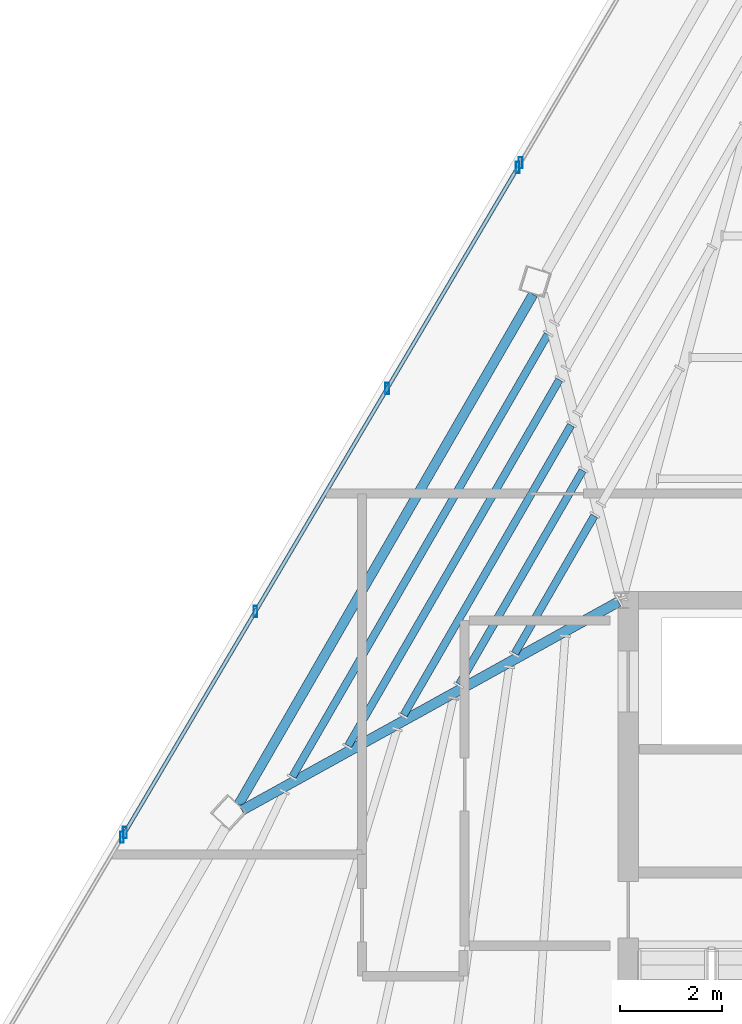
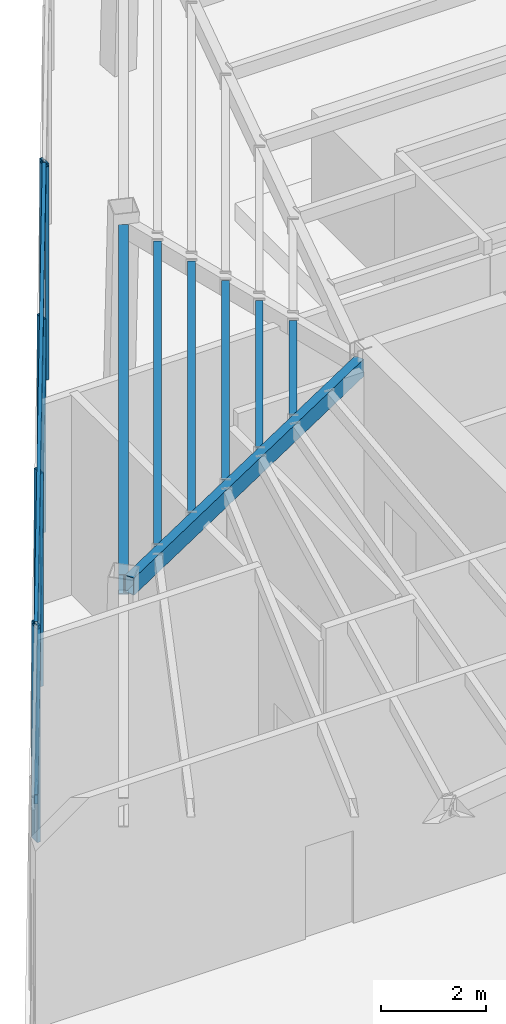
# One storey, part 10 of 25: 8 members, 7 beams, 3 elements without a shape of their own.
"""IFC4 building model written with IfcOpenShell, lengths in metres."""

from ifc_helpers import new_model, si_unit, direction, frame, origin, origin_2d, place, context, subcontext, project, spatial, hollow_rectangle, i_section, extrude, source, transform, mapped, material, material_profile, profile_set, type_object, type_shapes, element, aggregate, save


model = new_model("IFC4")

# Units and contexts
model_context = context("Model", 3, precision=1e-05, world=origin(), true_north=direction((0.0, 1.0)))
body_context = subcontext(model_context, "Body", "Model", "MODEL_VIEW")
ifc_project = project(units=[si_unit("LENGTHUNIT", "METRE"), si_unit("AREAUNIT", "SQUARE_METRE"), si_unit("VOLUMEUNIT", "CUBIC_METRE"), si_unit("PLANEANGLEUNIT", "RADIAN"), si_unit("MASSUNIT", "GRAM", prefix="KILO")], contexts=[model_context])

# Site, building, storey
site_placement = place(None, origin())
site = spatial("IfcSite", under=ifc_project, at=site_placement, CompositionType="ELEMENT")
building_placement = place(site_placement, origin())
building = spatial("IfcBuilding", under=site, at=building_placement, Name="Caelisora Broadcast Tower", CompositionType="ELEMENT")
storey_placement = place(building_placement, frame((0.0, 0.0, 284.60009765625)))
storey = spatial("IfcBuildingStorey", under=building, at=storey_placement, Name="L75", CompositionType="ELEMENT", Elevation=284.60009765625)

# Beams
ifc_material_1 = material(Name="Steel Grade 350 (AS/NZS 3679.1)", Category="steel")
ifc_material_profile_1 = material_profile(ifc_material_1, i_section(OverallWidth=0.19091796875, OverallDepth=0.46044921875, WebThickness=0.010009765625, FlangeThickness=0.01611328125, at=origin_2d()), Name="Steel Grade 350 (AS/NZS 3679.1)")
ifc_profile_set_1 = profile_set([ifc_material_profile_1], Name="Steel Grade 350 (AS/NZS 3679.1)")
beam_type_1 = type_object("IfcBeamType", Name="PG06", PredefinedType="BEAM", material=ifc_profile_set_1)
shared_shape_1 = source(origin(), body_context, "Body", "SweptSolid", [
    extrude(i_section(OverallWidth=0.19091796875, OverallDepth=0.46044921875, WebThickness=0.010009765625, FlangeThickness=0.01611328125, at=origin_2d()), origin(), (0.0, 0.0, 1.0), 11.589111328125),
])
type_shapes(beam_type_1, [shared_shape_1])
beam_1_placement = place(storey_placement, frame((28.767333984375, 36.021484375, 4.7197265625), z_axis=(-0.500011182806, -0.866018947292, 0.0), x_axis=(0.866018947292, -0.500011182806, 0.0)))
element("IfcBeam", 1, at=beam_1_placement, inside=storey, type_object=beam_type_1, Name="L75 beam PG06", PredefinedType="BEAM", context=body_context, shape_type="MappedRepresentation", body=[
    mapped(shared_shape_1, transform((0.0, 0.0, 0.0), scale=1.0)),
])
ifc_material_2 = material(Name="Steel Grade 350 (AS/NZS 1163 C350L0)", Category="steel")
ifc_material_profile_2 = material_profile(ifc_material_2, hollow_rectangle(XDim=0.199951171875, YDim=0.39990234375, WallThickness=0.012451171875, at=origin_2d()), Name="Steel Grade 350 (AS/NZS 1163 C350L0)")
ifc_profile_set_2 = profile_set([ifc_material_profile_2], Name="Steel Grade 350 (AS/NZS 1163 C350L0)")
beam_type_2 = type_object("IfcBeamType", Name="PG07", PredefinedType="BEAM", material=ifc_profile_set_2)
shared_shape_2 = source(origin(), body_context, "Body", "SweptSolid", [
    extrude(hollow_rectangle(XDim=0.199951171875, YDim=0.39990234375, WallThickness=0.012451171875, at=origin_2d()), origin(), (0.0, 0.0, 1.0), 8.472900390625),
])
type_shapes(beam_type_2, [shared_shape_2])
beam_2_placement = place(storey_placement, frame((30.447509765625, 29.970947265625, 4.75), z_axis=(-0.874831936289, -0.484426550933, 0.0), x_axis=(0.484426550933, -0.874831936289, 0.0)))
element("IfcBeam", 2, at=beam_2_placement, inside=storey, type_object=beam_type_2, Name="L75 beam PG07", PredefinedType="BEAM", context=body_context, shape_type="MappedRepresentation", body=[
    mapped(shared_shape_2, transform((0.0, 0.0, 0.0), scale=1.0)),
])
ifc_material_profile_3 = material_profile(ifc_material_2, hollow_rectangle(XDim=0.14990234375, YDim=0.300048828125, WallThickness=0.010009765625, at=origin_2d()), Name="Steel Grade 350 (AS/NZS 1163 C350L0)")
ifc_profile_set_3 = profile_set([ifc_material_profile_3], Name="Steel Grade 350 (AS/NZS 1163 C350L0)")
beam_type_3 = type_object("IfcBeamType", Name="SB05", PredefinedType="JOIST", material=ifc_profile_set_3)
shared_shape_3 = source(origin(), body_context, "Body", "SweptSolid", [
    extrude(hollow_rectangle(XDim=0.14990234375, YDim=0.300048828125, WallThickness=0.010009765625, at=origin_2d()), origin(), (0.0, 0.0, 1.0), 3.128662109375),
])
beam_3_placement = place(storey_placement, frame((29.97216796875, 31.66357421875, 4.7998046875), z_axis=(-0.50003316619, -0.866006254429, 0.0), x_axis=(0.866006254429, -0.50003316619, 0.0)))
element("IfcBeam", 3, at=beam_3_placement, inside=storey, type_object=beam_type_3, Name="L75 beam SB05", PredefinedType="JOIST", context=body_context, shape_type="MappedRepresentation", body=[
    mapped(shared_shape_3, transform((0.0, 0.0, 0.0), scale=1.0)),
])
shared_shape_4 = source(origin(), body_context, "Body", "SweptSolid", [
    extrude(hollow_rectangle(XDim=0.14990234375, YDim=0.300048828125, WallThickness=0.010009765625, at=origin_2d()), origin(), (0.0, 0.0, 1.0), 4.858642578125),
])
beam_4_placement = place(storey_placement, frame((29.7431640625, 32.555908203125, 4.7998046875), z_axis=(-0.500013872438, -0.86601739438, 0.0), x_axis=(0.86601739438, -0.500013872438, 0.0)))
element("IfcBeam", 4, at=beam_4_placement, inside=storey, type_object=beam_type_3, Name="L75 beam SB05", PredefinedType="JOIST", context=body_context, shape_type="MappedRepresentation", body=[
    mapped(shared_shape_4, transform((0.0, 0.0, 0.0), scale=1.0)),
])
shared_shape_5 = source(origin(), body_context, "Body", "SweptSolid", [
    extrude(hollow_rectangle(XDim=0.14990234375, YDim=0.300048828125, WallThickness=0.010009765625, at=origin_2d()), origin(), (0.0, 0.0, 1.0), 6.58837890625),
])
beam_5_placement = place(storey_placement, frame((29.51416015625, 33.4482421875, 4.7998046875), z_axis=(-0.499992964734, -0.866029465559, 0.0), x_axis=(0.866029465559, -0.499992964734, 0.0)))
element("IfcBeam", 5, at=beam_5_placement, inside=storey, type_object=beam_type_3, Name="L75 beam SB05", PredefinedType="JOIST", context=body_context, shape_type="MappedRepresentation", body=[
    mapped(shared_shape_5, transform((0.0, 0.0, 0.0), scale=1.0)),
])
shared_shape_6 = source(origin(), body_context, "Body", "SweptSolid", [
    extrude(hollow_rectangle(XDim=0.14990234375, YDim=0.300048828125, WallThickness=0.010009765625, at=origin_2d()), origin(), (0.0, 0.0, 1.0), 8.318603515625),
])
beam_6_placement = place(storey_placement, frame((29.28515625, 34.3408203125, 4.7998046875), z_axis=(-0.499990056298, -0.866031144707, 0.0), x_axis=(0.866031144707, -0.499990056298, 0.0)))
element("IfcBeam", 6, at=beam_6_placement, inside=storey, type_object=beam_type_3, Name="L75 beam SB05", PredefinedType="JOIST", context=body_context, shape_type="MappedRepresentation", body=[
    mapped(shared_shape_6, transform((0.0, 0.0, 0.0), scale=1.0)),
])
shared_shape_7 = source(origin(), body_context, "Body", "SweptSolid", [
    extrude(hollow_rectangle(XDim=0.14990234375, YDim=0.300048828125, WallThickness=0.010009765625, at=origin_2d()), origin(), (0.0, 0.0, 1.0), 10.048583984375),
])
type_shapes(beam_type_3, [shared_shape_3, shared_shape_4, shared_shape_5, shared_shape_6, shared_shape_7])
beam_7_placement = place(storey_placement, frame((29.056396484375, 35.233154296875, 4.7998046875), z_axis=(-0.500016891966, -0.866015650984, 0.0), x_axis=(0.866015650984, -0.500016891966, 0.0)))
element("IfcBeam", 7, at=beam_7_placement, inside=storey, type_object=beam_type_3, Name="L75 beam SB05", PredefinedType="JOIST", context=body_context, shape_type="MappedRepresentation", body=[
    mapped(shared_shape_7, transform((0.0, 0.0, 0.0), scale=1.0)),
])

# Curtain wall, member
ifc_material_3 = material(Name="Unitised Aluminium and Low-E Glass Curtain Wall", Category="glass")
curtain_wall_type = type_object("IfcCurtainWallType", Name="CW-TMD", PredefinedType="NOTDEFINED", material=ifc_material_3)
curtain_wall_1_placement = place(storey_placement, origin())
curtain_wall_1 = element("IfcCurtainWall", 8, at=curtain_wall_1_placement, inside=storey, type_object=curtain_wall_type, Name="L75 curtain wall CW-TMD", PredefinedType="NOTDEFINED")
ifc_material_4 = material(Name="Aluminium 6063-T6 Anodised Terracotta Bronze", Category="aluminium")
ifc_material_profile_4 = material_profile(ifc_material_4, hollow_rectangle(XDim=0.074951171875, YDim=0.219970703125, WallThickness=0.00390625, at=origin_2d()), Name="Aluminium 6063-T6 Anodised Terracotta Bronze")
ifc_profile_set_4 = profile_set([ifc_material_profile_4], Name="Aluminium 6063-T6 Anodised Terracotta Bronze")
member_type_1 = type_object("IfcMemberType", Name="CWM-01", PredefinedType="MULLION", material=ifc_profile_set_4)
shared_shape_8 = source(origin(), body_context, "Body", "SweptSolid", [
    extrude(hollow_rectangle(XDim=0.074951171875, YDim=0.219970703125, WallThickness=0.00390625, at=origin_2d()), origin(), (0.0, 0.0, 1.0), 4.949951171875),
])
type_shapes(member_type_1, [shared_shape_8])
member_1_placement = place(storey_placement, frame((20.676513671875, 25.336181640625, 0.0), z_axis=(0.0, 0.0, 1.0), x_axis=(1.0, 0.0, 0.0)))
member_1 = element("IfcMember", 9, at=member_1_placement, type_object=member_type_1, Name="L75-CW-B09 mullion #3", PredefinedType="MULLION", context=body_context, shape_type="MappedRepresentation", body=[
    mapped(shared_shape_8, transform((0.0, 0.0, 0.0), scale=1.0)),
])
aggregate(curtain_wall_1, [member_1])

# Curtain wall, members
curtain_wall_2_placement = place(storey_placement, origin())
curtain_wall_2 = element("IfcCurtainWall", 10, at=curtain_wall_2_placement, inside=storey, type_object=curtain_wall_type, Name="L75 curtain wall CW-TMD", PredefinedType="NOTDEFINED")
member_2_placement = place(storey_placement, frame((20.732421875, 25.430908203125, 0.0), z_axis=(0.0, 0.0, 1.0), x_axis=(1.0, 0.0, 0.0)))
member_2 = element("IfcMember", 11, at=member_2_placement, type_object=member_type_1, Name="L75-CW-B10 mullion #0", PredefinedType="MULLION", context=body_context, shape_type="MappedRepresentation", body=[
    mapped(shared_shape_8, transform((0.0, 0.0, 0.0), scale=1.0)),
])
member_3_placement = place(storey_placement, frame((23.301513671875, 29.779296875, 0.0), z_axis=(0.0, 0.0, 1.0), x_axis=(1.0, 0.0, 0.0)))
member_3 = element("IfcMember", 12, at=member_3_placement, type_object=member_type_1, Name="L75-CW-B10 mullion #1", PredefinedType="MULLION", context=body_context, shape_type="MappedRepresentation", body=[
    mapped(shared_shape_8, transform((0.0, 0.0, 0.0), scale=1.0)),
])
member_4_placement = place(storey_placement, frame((25.896484375, 34.170654296875, 0.0), z_axis=(0.0, 0.0, 1.0), x_axis=(1.0, 0.0, 0.0)))
member_4 = element("IfcMember", 13, at=member_4_placement, type_object=member_type_1, Name="L75-CW-B10 mullion #2", PredefinedType="MULLION", context=body_context, shape_type="MappedRepresentation", body=[
    mapped(shared_shape_8, transform((0.0, 0.0, 0.0), scale=1.0)),
])
member_5_placement = place(storey_placement, frame((28.4658203125, 38.51904296875, 0.0), z_axis=(0.0, 0.0, 1.0), x_axis=(1.0, 0.0, 0.0)))
member_5 = element("IfcMember", 14, at=member_5_placement, type_object=member_type_1, Name="L75-CW-B10 mullion #3", PredefinedType="MULLION", context=body_context, shape_type="MappedRepresentation", body=[
    mapped(shared_shape_8, transform((0.0, 0.0, 0.0), scale=1.0)),
])

# Curtain wall, member
curtain_wall_3_placement = place(storey_placement, origin())
curtain_wall_3 = element("IfcCurtainWall", 15, at=curtain_wall_3_placement, inside=storey, type_object=curtain_wall_type, Name="L75 curtain wall CW-TMD", PredefinedType="NOTDEFINED")
member_6_placement = place(storey_placement, frame((28.521484375, 38.61376953125, 0.0), z_axis=(0.0, 0.0, 1.0), x_axis=(1.0, 0.0, 0.0)))
member_6 = element("IfcMember", 16, at=member_6_placement, type_object=member_type_1, Name="L75-CW-B11 mullion #0", PredefinedType="MULLION", context=body_context, shape_type="MappedRepresentation", body=[
    mapped(shared_shape_8, transform((0.0, 0.0, 0.0), scale=1.0)),
])
aggregate(curtain_wall_3, [member_6])

# Member
ifc_material_profile_5 = material_profile(ifc_material_4, hollow_rectangle(XDim=0.074951171875, YDim=0.219970703125, WallThickness=0.00390625, at=origin_2d()), Name="Aluminium 6063-T6 Anodised Terracotta Bronze")
ifc_profile_set_5 = profile_set([ifc_material_profile_5], Name="Aluminium 6063-T6 Anodised Terracotta Bronze")
member_type_2 = type_object("IfcMemberType", Name="CWT-04", PredefinedType="USERDEFINED", material=ifc_profile_set_5)
shared_shape_9 = source(origin(), body_context, "Body", "SweptSolid", [
    extrude(hollow_rectangle(XDim=0.074951171875, YDim=0.219970703125, WallThickness=0.00390625, at=origin_2d()), origin(), (0.0, 0.0, 1.0), 15.2021484375),
])
type_shapes(member_type_2, [shared_shape_9])
member_7_placement = place(storey_placement, frame((20.732421875, 25.430908203125, 0.849853515625), z_axis=(0.508704964239, 0.860940915138, 0.0), x_axis=(-0.860940915138, 0.508704964239, 0.0)))
member_7 = element("IfcMember", 17, at=member_7_placement, type_object=member_type_2, Name="L75-CW-B10 transom #1", ObjectType="TRANSOM", PredefinedType="USERDEFINED", context=body_context, shape_type="MappedRepresentation", body=[
    mapped(shared_shape_9, transform((0.0, 0.0, 0.0), scale=1.0)),
])

member_8_placement = place(storey_placement, frame((20.732421875, 25.430908203125, 4.869873046875), z_axis=(0.508704964239, 0.860940915138, 0.0), x_axis=(-0.860940915138, 0.508704964239, 0.0)))
member_8 = element("IfcMember", 18, at=member_8_placement, type_object=member_type_2, Name="L75-CW-B10 transom #2", ObjectType="TRANSOM", PredefinedType="USERDEFINED", context=body_context, shape_type="MappedRepresentation", body=[
    mapped(shared_shape_9, transform((0.0, 0.0, 0.0), scale=1.0)),
])

aggregate(curtain_wall_2, [member_2, member_3, member_4, member_5, member_7, member_8])

save(model, "model.ifc")
